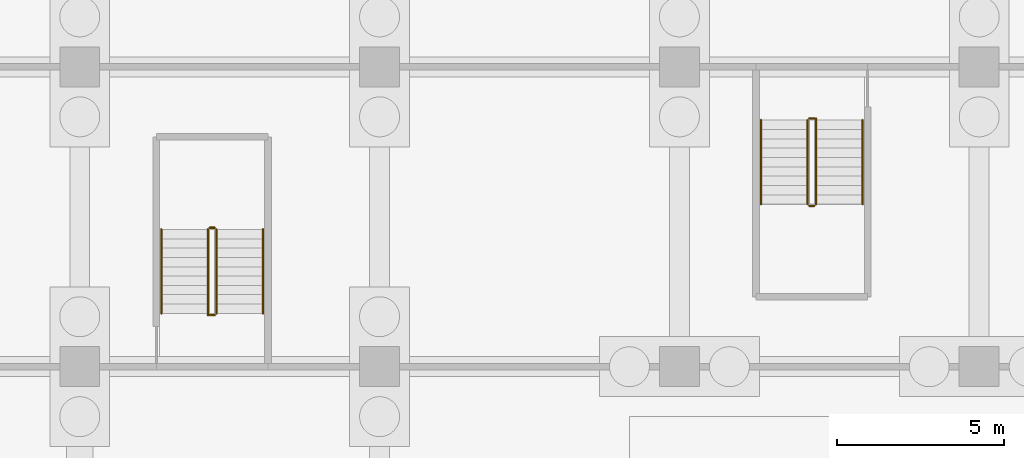
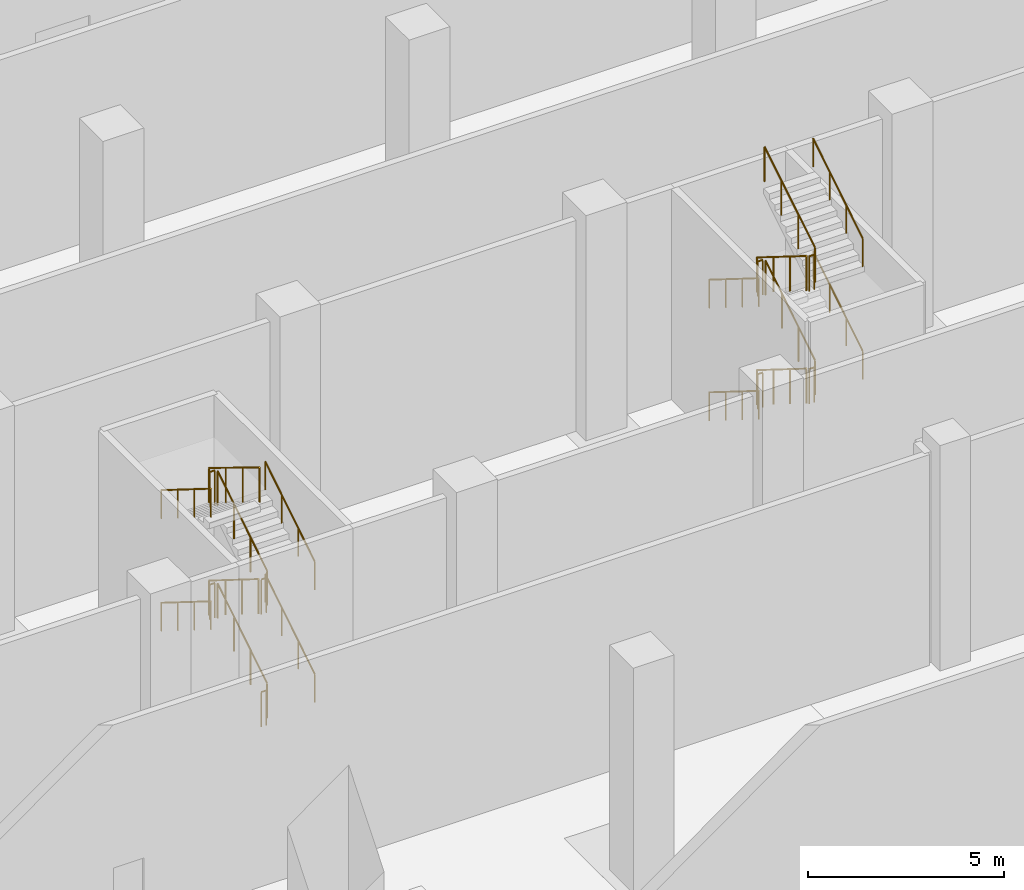
# One storey, part 21 of 23: 24 railings.
"""IFC4 building model written with IfcOpenShell, lengths in metres."""

from ifc_helpers import new_model, si_unit, direction, frame, origin, origin_2d, place, context, subcontext, project, spatial, circle, extrude, material, type_object, element, save


model = new_model("IFC4")

# Units and contexts
model_context = context("Model", 3, precision=1e-05, world=origin(), true_north=direction((0.0, 1.0)))
body_context = subcontext(model_context, "Body", "Model", "MODEL_VIEW")
ifc_project = project(units=[si_unit("LENGTHUNIT", "METRE"), si_unit("AREAUNIT", "SQUARE_METRE"), si_unit("VOLUMEUNIT", "CUBIC_METRE"), si_unit("PLANEANGLEUNIT", "RADIAN"), si_unit("MASSUNIT", "GRAM", prefix="KILO")], contexts=[model_context])

# Site, building, storey
site_placement = place(None, origin())
site = spatial("IfcSite", under=ifc_project, at=site_placement, CompositionType="ELEMENT")
building_placement = place(site_placement, origin())
building = spatial("IfcBuilding", under=site, at=building_placement, Name="Plateau Cross Towers", CompositionType="ELEMENT")
storey_placement = place(building_placement, frame((0.0, 0.0, -7.0)))
storey = spatial("IfcBuildingStorey", under=building, at=storey_placement, Name="B1", CompositionType="ELEMENT", Elevation=-7.0)

# Railings
ifc_material_1 = material(Name="Stainless steel and toughened glass", Category="steel")
railing_type_1 = type_object("IfcRailingType", Name="RL-GUARD-1100", PredefinedType="GUARDRAIL", material=ifc_material_1)
railing_1_placement = place(storey_placement, frame((58.10009765625, 28.60009765625, 0.175048828125)))
element("IfcRailing", 1, at=railing_1_placement, inside=storey, type_object=railing_type_1, Name="B1 PB3 stair guard 1", PredefinedType="GUARDRAIL", context=body_context, shape_type="SweptSolid", body=[
    extrude(circle(Radius=0.02392578125, at=origin_2d()), frame((0.0, 0.0, 1.076171875), z_axis=(0.0, 0.848007534815, 0.529984170421), x_axis=(-1.0, 0.0, 0.0)), (0.0, 0.0, 1.0), 2.9716796875),
    extrude(circle(Radius=0.02099609375, at=origin_2d()), origin(), (0.0, 0.0, 1.0), 1.052001953125),
    extrude(circle(Radius=0.02099609375, at=origin_2d()), frame((0.0, 0.840087890625, 0.52490234375)), (0.0, 0.0, 1.0), 1.052001953125),
    extrude(circle(Radius=0.02099609375, at=origin_2d()), frame((0.0, 1.679931640625, 1.050048828125)), (0.0, 0.0, 1.0), 1.052001953125),
    extrude(circle(Radius=0.02099609375, at=origin_2d()), frame((0.0, 2.52001953125, 1.574951171875)), (0.0, 0.0, 1.0), 1.052001953125),
])
railing_2_placement = place(storey_placement, frame((58.050048828125, 31.169921875, 1.75)))
element("IfcRailing", 2, at=railing_2_placement, inside=storey, type_object=railing_type_1, Name="B1 PB3 stair guard 2", PredefinedType="GUARDRAIL", context=body_context, shape_type="SweptSolid", body=[
    extrude(circle(Radius=0.02392578125, at=origin_2d()), frame((0.0, 0.0, 1.076171875), z_axis=(-1.0, 0.0, 0.0), x_axis=(0.0, -1.0, 0.0)), (0.0, 0.0, 1.0), 0.150146484375),
    extrude(circle(Radius=0.02099609375, at=origin_2d()), origin(), (0.0, 0.0, 1.0), 1.052001953125),
    extrude(circle(Radius=0.02099609375, at=origin_2d()), frame((-0.150146484375, 0.0, 0.0)), (0.0, 0.0, 1.0), 1.052001953125),
])
railing_3_placement = place(storey_placement, frame((57.85009765625, 31.1201171875, 1.925048828125)))
element("IfcRailing", 3, at=railing_3_placement, inside=storey, type_object=railing_type_1, Name="B1 PB3 stair guard 3", PredefinedType="GUARDRAIL", context=body_context, shape_type="SweptSolid", body=[
    extrude(circle(Radius=0.02392578125, at=origin_2d()), frame((0.0, 0.0, 1.076171875), z_axis=(0.0, -0.848007534815, 0.529984170421), x_axis=(1.0, 0.0, 0.0)), (0.0, 0.0, 1.0), 2.9716796875),
    extrude(circle(Radius=0.02099609375, at=origin_2d()), origin(), (0.0, 0.0, 1.0), 1.052001953125),
    extrude(circle(Radius=0.02099609375, at=origin_2d()), frame((0.0, -0.840087890625, 0.52490234375)), (0.0, 0.0, 1.0), 1.052001953125),
    extrude(circle(Radius=0.02099609375, at=origin_2d()), frame((0.0, -1.679931640625, 1.050048828125)), (0.0, 0.0, 1.0), 1.052001953125),
    extrude(circle(Radius=0.02099609375, at=origin_2d()), frame((0.0, -2.52001953125, 1.574951171875)), (0.0, 0.0, 1.0), 1.052001953125),
])
railing_4_placement = place(storey_placement, frame((58.050048828125, 28.550048828125, 3.5)))
element("IfcRailing", 4, at=railing_4_placement, inside=storey, type_object=railing_type_1, Name="B1 PB3 stair guard 4", PredefinedType="GUARDRAIL", context=body_context, shape_type="SweptSolid", body=[
    extrude(circle(Radius=0.02392578125, at=origin_2d()), frame((0.0, 0.0, 1.076171875), z_axis=(-1.0, 0.0, 0.0), x_axis=(0.0, -1.0, 0.0)), (0.0, 0.0, 1.0), 0.150146484375),
    extrude(circle(Radius=0.02099609375, at=origin_2d()), origin(), (0.0, 0.0, 1.0), 1.052001953125),
    extrude(circle(Radius=0.02099609375, at=origin_2d()), frame((-0.150146484375, 0.0, 0.0)), (0.0, 0.0, 1.0), 1.052001953125),
])
railing_5_placement = place(storey_placement, frame((58.10009765625, 28.60009765625, 3.675048828125)))
element("IfcRailing", 5, at=railing_5_placement, inside=storey, type_object=railing_type_1, Name="B1 PB3 stair guard 5", PredefinedType="GUARDRAIL", context=body_context, shape_type="SweptSolid", body=[
    extrude(circle(Radius=0.02392578125, at=origin_2d()), frame((0.0, 0.0, 1.076171875), z_axis=(0.0, 0.848007534815, 0.529984170421), x_axis=(-1.0, 0.0, 0.0)), (0.0, 0.0, 1.0), 2.9716796875),
    extrude(circle(Radius=0.02099609375, at=origin_2d()), origin(), (0.0, 0.0, 1.0), 1.052001953125),
    extrude(circle(Radius=0.02099609375, at=origin_2d()), frame((0.0, 0.840087890625, 0.52490234375)), (0.0, 0.0, 1.0), 1.052001953125),
    extrude(circle(Radius=0.02099609375, at=origin_2d()), frame((0.0, 1.679931640625, 1.050048828125)), (0.0, 0.0, 1.0), 1.052001953125),
    extrude(circle(Radius=0.02099609375, at=origin_2d()), frame((0.0, 2.52001953125, 1.574951171875)), (0.0, 0.0, 1.0), 1.052001953125),
])
railing_6_placement = place(storey_placement, frame((58.050048828125, 31.169921875, 5.25)))
element("IfcRailing", 6, at=railing_6_placement, inside=storey, type_object=railing_type_1, Name="B1 PB3 stair guard 6", PredefinedType="GUARDRAIL", context=body_context, shape_type="SweptSolid", body=[
    extrude(circle(Radius=0.02392578125, at=origin_2d()), frame((0.0, 0.0, 1.076171875), z_axis=(-1.0, 0.0, 0.0), x_axis=(0.0, -1.0, 0.0)), (0.0, 0.0, 1.0), 0.150146484375),
    extrude(circle(Radius=0.02099609375, at=origin_2d()), origin(), (0.0, 0.0, 1.0), 1.052001953125),
    extrude(circle(Radius=0.02099609375, at=origin_2d()), frame((-0.150146484375, 0.0, 0.0)), (0.0, 0.0, 1.0), 1.052001953125),
])
railing_7_placement = place(storey_placement, frame((57.85009765625, 31.1201171875, 5.425048828125)))
element("IfcRailing", 7, at=railing_7_placement, inside=storey, type_object=railing_type_1, Name="B1 PB3 stair guard 7", PredefinedType="GUARDRAIL", context=body_context, shape_type="SweptSolid", body=[
    extrude(circle(Radius=0.02392578125, at=origin_2d()), frame((0.0, 0.0, 1.076171875), z_axis=(0.0, -0.852638500773, 0.522501279423), x_axis=(1.0, 0.0, 0.0)), (0.0, 0.0, 1.0), 3.01416015625),
    extrude(circle(Radius=0.02099609375, at=origin_2d()), origin(), (0.0, 0.0, 1.0), 1.052001953125),
    extrude(circle(Radius=0.02099609375, at=origin_2d()), frame((0.0, -0.856689453125, 0.52490234375)), (0.0, 0.0, 1.0), 1.052001953125),
    extrude(circle(Radius=0.02099609375, at=origin_2d()), frame((0.0, -1.71337890625, 1.050048828125)), (0.0, 0.0, 1.0), 1.052001953125),
    extrude(circle(Radius=0.02099609375, at=origin_2d()), frame((0.0, -2.570068359375, 1.574951171875)), (0.0, 0.0, 1.0), 1.052001953125),
])
railing_8_placement = place(storey_placement, frame((58.050048828125, 28.550048828125, 0.0)))
element("IfcRailing", 8, at=railing_8_placement, inside=storey, type_object=railing_type_1, Name="B1 PB3 stair guard 8", PredefinedType="GUARDRAIL", context=body_context, shape_type="SweptSolid", body=[
    extrude(circle(Radius=0.02392578125, at=origin_2d()), frame((0.0, 0.0, 1.076171875), z_axis=(-1.0, 0.0, 0.0), x_axis=(0.0, -1.0, 0.0)), (0.0, 0.0, 1.0), 0.150146484375),
    extrude(circle(Radius=0.02099609375, at=origin_2d()), origin(), (0.0, 0.0, 1.0), 1.052001953125),
    extrude(circle(Radius=0.02099609375, at=origin_2d()), frame((-0.150146484375, 0.0, 0.0)), (0.0, 0.0, 1.0), 1.052001953125),
])
railing_9_placement = place(storey_placement, frame((75.85009765625, 34.39990234375, 0.175048828125)))
element("IfcRailing", 9, at=railing_9_placement, inside=storey, type_object=railing_type_1, Name="B1 PB4 stair guard 1", PredefinedType="GUARDRAIL", context=body_context, shape_type="SweptSolid", body=[
    extrude(circle(Radius=0.02392578125, at=origin_2d()), frame((0.0, 0.0, 1.076171875), z_axis=(0.0, -0.848007534815, 0.529984170421), x_axis=(1.0, 0.0, 0.0)), (0.0, 0.0, 1.0), 2.9716796875),
    extrude(circle(Radius=0.02099609375, at=origin_2d()), origin(), (0.0, 0.0, 1.0), 1.052001953125),
    extrude(circle(Radius=0.02099609375, at=origin_2d()), frame((0.0, -0.840087890625, 0.52490234375)), (0.0, 0.0, 1.0), 1.052001953125),
    extrude(circle(Radius=0.02099609375, at=origin_2d()), frame((0.0, -1.679931640625, 1.050048828125)), (0.0, 0.0, 1.0), 1.052001953125),
    extrude(circle(Radius=0.02099609375, at=origin_2d()), frame((0.0, -2.52001953125, 1.574951171875)), (0.0, 0.0, 1.0), 1.052001953125),
])
railing_10_placement = place(storey_placement, frame((75.89990234375, 31.830078125, 1.75)))
element("IfcRailing", 10, at=railing_10_placement, inside=storey, type_object=railing_type_1, Name="B1 PB4 stair guard 2", PredefinedType="GUARDRAIL", context=body_context, shape_type="SweptSolid", body=[
    extrude(circle(Radius=0.02392578125, at=origin_2d()), frame((0.0, 0.0, 1.076171875), z_axis=(1.0, 0.0, 0.0), x_axis=(0.0, 1.0, 0.0)), (0.0, 0.0, 1.0), 0.150146484375),
    extrude(circle(Radius=0.02099609375, at=origin_2d()), origin(), (0.0, 0.0, 1.0), 1.052001953125),
    extrude(circle(Radius=0.02099609375, at=origin_2d()), frame((0.150146484375, 0.0, 0.0)), (0.0, 0.0, 1.0), 1.052001953125),
])
railing_11_placement = place(storey_placement, frame((76.10009765625, 31.8798828125, 1.925048828125)))
element("IfcRailing", 11, at=railing_11_placement, inside=storey, type_object=railing_type_1, Name="B1 PB4 stair guard 3", PredefinedType="GUARDRAIL", context=body_context, shape_type="SweptSolid", body=[
    extrude(circle(Radius=0.02392578125, at=origin_2d()), frame((0.0, 0.0, 1.076171875), z_axis=(0.0, 0.848007534815, 0.529984170421), x_axis=(-1.0, 0.0, 0.0)), (0.0, 0.0, 1.0), 2.9716796875),
    extrude(circle(Radius=0.02099609375, at=origin_2d()), origin(), (0.0, 0.0, 1.0), 1.052001953125),
    extrude(circle(Radius=0.02099609375, at=origin_2d()), frame((0.0, 0.840087890625, 0.52490234375)), (0.0, 0.0, 1.0), 1.052001953125),
    extrude(circle(Radius=0.02099609375, at=origin_2d()), frame((0.0, 1.679931640625, 1.050048828125)), (0.0, 0.0, 1.0), 1.052001953125),
    extrude(circle(Radius=0.02099609375, at=origin_2d()), frame((0.0, 2.52001953125, 1.574951171875)), (0.0, 0.0, 1.0), 1.052001953125),
])
railing_12_placement = place(storey_placement, frame((75.89990234375, 34.449951171875, 3.5)))
element("IfcRailing", 12, at=railing_12_placement, inside=storey, type_object=railing_type_1, Name="B1 PB4 stair guard 4", PredefinedType="GUARDRAIL", context=body_context, shape_type="SweptSolid", body=[
    extrude(circle(Radius=0.02392578125, at=origin_2d()), frame((0.0, 0.0, 1.076171875), z_axis=(1.0, 0.0, 0.0), x_axis=(0.0, 1.0, 0.0)), (0.0, 0.0, 1.0), 0.150146484375),
    extrude(circle(Radius=0.02099609375, at=origin_2d()), origin(), (0.0, 0.0, 1.0), 1.052001953125),
    extrude(circle(Radius=0.02099609375, at=origin_2d()), frame((0.150146484375, 0.0, 0.0)), (0.0, 0.0, 1.0), 1.052001953125),
])
railing_13_placement = place(storey_placement, frame((75.85009765625, 34.39990234375, 3.675048828125)))
element("IfcRailing", 13, at=railing_13_placement, inside=storey, type_object=railing_type_1, Name="B1 PB4 stair guard 5", PredefinedType="GUARDRAIL", context=body_context, shape_type="SweptSolid", body=[
    extrude(circle(Radius=0.02392578125, at=origin_2d()), frame((0.0, 0.0, 1.076171875), z_axis=(0.0, -0.848007534815, 0.529984170421), x_axis=(1.0, 0.0, 0.0)), (0.0, 0.0, 1.0), 2.9716796875),
    extrude(circle(Radius=0.02099609375, at=origin_2d()), origin(), (0.0, 0.0, 1.0), 1.052001953125),
    extrude(circle(Radius=0.02099609375, at=origin_2d()), frame((0.0, -0.840087890625, 0.52490234375)), (0.0, 0.0, 1.0), 1.052001953125),
    extrude(circle(Radius=0.02099609375, at=origin_2d()), frame((0.0, -1.679931640625, 1.050048828125)), (0.0, 0.0, 1.0), 1.052001953125),
    extrude(circle(Radius=0.02099609375, at=origin_2d()), frame((0.0, -2.52001953125, 1.574951171875)), (0.0, 0.0, 1.0), 1.052001953125),
])
railing_14_placement = place(storey_placement, frame((75.89990234375, 31.830078125, 5.25)))
element("IfcRailing", 14, at=railing_14_placement, inside=storey, type_object=railing_type_1, Name="B1 PB4 stair guard 6", PredefinedType="GUARDRAIL", context=body_context, shape_type="SweptSolid", body=[
    extrude(circle(Radius=0.02392578125, at=origin_2d()), frame((0.0, 0.0, 1.076171875), z_axis=(1.0, 0.0, 0.0), x_axis=(0.0, 1.0, 0.0)), (0.0, 0.0, 1.0), 0.150146484375),
    extrude(circle(Radius=0.02099609375, at=origin_2d()), origin(), (0.0, 0.0, 1.0), 1.052001953125),
    extrude(circle(Radius=0.02099609375, at=origin_2d()), frame((0.150146484375, 0.0, 0.0)), (0.0, 0.0, 1.0), 1.052001953125),
])
railing_15_placement = place(storey_placement, frame((76.10009765625, 31.8798828125, 5.425048828125)))
element("IfcRailing", 15, at=railing_15_placement, inside=storey, type_object=railing_type_1, Name="B1 PB4 stair guard 7", PredefinedType="GUARDRAIL", context=body_context, shape_type="SweptSolid", body=[
    extrude(circle(Radius=0.02392578125, at=origin_2d()), frame((0.0, 0.0, 1.076171875), z_axis=(0.0, 0.852638500773, 0.522501279423), x_axis=(-1.0, 0.0, 0.0)), (0.0, 0.0, 1.0), 3.01416015625),
    extrude(circle(Radius=0.02099609375, at=origin_2d()), origin(), (0.0, 0.0, 1.0), 1.052001953125),
    extrude(circle(Radius=0.02099609375, at=origin_2d()), frame((0.0, 0.856689453125, 0.52490234375)), (0.0, 0.0, 1.0), 1.052001953125),
    extrude(circle(Radius=0.02099609375, at=origin_2d()), frame((0.0, 1.71337890625, 1.050048828125)), (0.0, 0.0, 1.0), 1.052001953125),
    extrude(circle(Radius=0.02099609375, at=origin_2d()), frame((0.0, 2.570068359375, 1.574951171875)), (0.0, 0.0, 1.0), 1.052001953125),
])
railing_16_placement = place(storey_placement, frame((75.89990234375, 34.449951171875, 0.0)))
element("IfcRailing", 16, at=railing_16_placement, inside=storey, type_object=railing_type_1, Name="B1 PB4 stair guard 8", PredefinedType="GUARDRAIL", context=body_context, shape_type="SweptSolid", body=[
    extrude(circle(Radius=0.02392578125, at=origin_2d()), frame((0.0, 0.0, 1.076171875), z_axis=(1.0, 0.0, 0.0), x_axis=(0.0, 1.0, 0.0)), (0.0, 0.0, 1.0), 0.150146484375),
    extrude(circle(Radius=0.02099609375, at=origin_2d()), origin(), (0.0, 0.0, 1.0), 1.052001953125),
    extrude(circle(Radius=0.02099609375, at=origin_2d()), frame((0.150146484375, 0.0, 0.0)), (0.0, 0.0, 1.0), 1.052001953125),
])
ifc_material_2 = material(Name="Black anodised aluminium", Category="aluminium")
railing_type_2 = type_object("IfcRailingType", Name="RL-HANDRAIL-900", PredefinedType="HANDRAIL", material=ifc_material_2)
railing_17_placement = place(storey_placement, frame((59.5, 28.60009765625, 0.175048828125)))
element("IfcRailing", 17, at=railing_17_placement, inside=storey, type_object=railing_type_2, Name="B1 PB3 stair handrail 1", PredefinedType="HANDRAIL", context=body_context, shape_type="SweptSolid", body=[
    extrude(circle(Radius=0.02392578125, at=origin_2d()), frame((0.0, 0.0, 0.8759765625), z_axis=(0.0, 0.848007534815, 0.529984170421), x_axis=(-1.0, 0.0, 0.0)), (0.0, 0.0, 1.0), 2.9716796875),
    extrude(circle(Radius=0.02099609375, at=origin_2d()), origin(), (0.0, 0.0, 1.0), 0.851806640625),
    extrude(circle(Radius=0.02099609375, at=origin_2d()), frame((0.0, 0.840087890625, 0.52490234375)), (0.0, 0.0, 1.0), 0.851806640625),
    extrude(circle(Radius=0.02099609375, at=origin_2d()), frame((0.0, 1.679931640625, 1.050048828125)), (0.0, 0.0, 1.0), 0.851806640625),
    extrude(circle(Radius=0.02099609375, at=origin_2d()), frame((0.0, 2.52001953125, 1.574951171875)), (0.0, 0.0, 1.0), 0.851806640625),
])
railing_18_placement = place(storey_placement, frame((56.449951171875, 31.1201171875, 1.925048828125)))
element("IfcRailing", 18, at=railing_18_placement, inside=storey, type_object=railing_type_2, Name="B1 PB3 stair handrail 2", PredefinedType="HANDRAIL", context=body_context, shape_type="SweptSolid", body=[
    extrude(circle(Radius=0.02392578125, at=origin_2d()), frame((0.0, 0.0, 0.8759765625), z_axis=(0.0, -0.848007534815, 0.529984170421), x_axis=(1.0, 0.0, 0.0)), (0.0, 0.0, 1.0), 2.9716796875),
    extrude(circle(Radius=0.02099609375, at=origin_2d()), origin(), (0.0, 0.0, 1.0), 0.851806640625),
    extrude(circle(Radius=0.02099609375, at=origin_2d()), frame((0.0, -0.840087890625, 0.52490234375)), (0.0, 0.0, 1.0), 0.851806640625),
    extrude(circle(Radius=0.02099609375, at=origin_2d()), frame((0.0, -1.679931640625, 1.050048828125)), (0.0, 0.0, 1.0), 0.851806640625),
    extrude(circle(Radius=0.02099609375, at=origin_2d()), frame((0.0, -2.52001953125, 1.574951171875)), (0.0, 0.0, 1.0), 0.851806640625),
])
railing_19_placement = place(storey_placement, frame((59.5, 28.60009765625, 3.675048828125)))
element("IfcRailing", 19, at=railing_19_placement, inside=storey, type_object=railing_type_2, Name="B1 PB3 stair handrail 3", PredefinedType="HANDRAIL", context=body_context, shape_type="SweptSolid", body=[
    extrude(circle(Radius=0.02392578125, at=origin_2d()), frame((0.0, 0.0, 0.8759765625), z_axis=(0.0, 0.848007534815, 0.529984170421), x_axis=(-1.0, 0.0, 0.0)), (0.0, 0.0, 1.0), 2.9716796875),
    extrude(circle(Radius=0.02099609375, at=origin_2d()), origin(), (0.0, 0.0, 1.0), 0.851806640625),
    extrude(circle(Radius=0.02099609375, at=origin_2d()), frame((0.0, 0.840087890625, 0.52490234375)), (0.0, 0.0, 1.0), 0.851806640625),
    extrude(circle(Radius=0.02099609375, at=origin_2d()), frame((0.0, 1.679931640625, 1.050048828125)), (0.0, 0.0, 1.0), 0.851806640625),
    extrude(circle(Radius=0.02099609375, at=origin_2d()), frame((0.0, 2.52001953125, 1.574951171875)), (0.0, 0.0, 1.0), 0.851806640625),
])
for number, where, name in (
    (20, (56.449951171875, 31.1201171875, 5.425048828125), "B1 PB3 stair handrail 4"),
    (21, (74.449951171875, 34.39990234375, 0.175048828125), "B1 PB4 stair handrail 1"),
):
    element("IfcRailing", number, at=place(storey_placement, frame(where)), inside=storey, type_object=railing_type_2, Name=name, PredefinedType="HANDRAIL", context=body_context, shape_type="SweptSolid", body=[
        extrude(circle(Radius=0.02392578125, at=origin_2d()), frame((0.0, 0.0, 0.8759765625), z_axis=(0.0, -0.848007534815, 0.529984170421), x_axis=(1.0, 0.0, 0.0)), (0.0, 0.0, 1.0), 2.9716796875),
        extrude(circle(Radius=0.02099609375, at=origin_2d()), origin(), (0.0, 0.0, 1.0), 0.851806640625),
        extrude(circle(Radius=0.02099609375, at=origin_2d()), frame((0.0, -0.840087890625, 0.52490234375)), (0.0, 0.0, 1.0), 0.851806640625),
        extrude(circle(Radius=0.02099609375, at=origin_2d()), frame((0.0, -1.679931640625, 1.050048828125)), (0.0, 0.0, 1.0), 0.851806640625),
        extrude(circle(Radius=0.02099609375, at=origin_2d()), frame((0.0, -2.52001953125, 1.574951171875)), (0.0, 0.0, 1.0), 0.851806640625),
    ])
railing_20_placement = place(storey_placement, frame((77.5, 31.8798828125, 1.925048828125)))
element("IfcRailing", 22, at=railing_20_placement, inside=storey, type_object=railing_type_2, Name="B1 PB4 stair handrail 2", PredefinedType="HANDRAIL", context=body_context, shape_type="SweptSolid", body=[
    extrude(circle(Radius=0.02392578125, at=origin_2d()), frame((0.0, 0.0, 0.8759765625), z_axis=(0.0, 0.848007534815, 0.529984170421), x_axis=(-1.0, 0.0, 0.0)), (0.0, 0.0, 1.0), 2.9716796875),
    extrude(circle(Radius=0.02099609375, at=origin_2d()), origin(), (0.0, 0.0, 1.0), 0.851806640625),
    extrude(circle(Radius=0.02099609375, at=origin_2d()), frame((0.0, 0.840087890625, 0.52490234375)), (0.0, 0.0, 1.0), 0.851806640625),
    extrude(circle(Radius=0.02099609375, at=origin_2d()), frame((0.0, 1.679931640625, 1.050048828125)), (0.0, 0.0, 1.0), 0.851806640625),
    extrude(circle(Radius=0.02099609375, at=origin_2d()), frame((0.0, 2.52001953125, 1.574951171875)), (0.0, 0.0, 1.0), 0.851806640625),
])
railing_21_placement = place(storey_placement, frame((74.449951171875, 34.39990234375, 3.675048828125)))
element("IfcRailing", 23, at=railing_21_placement, inside=storey, type_object=railing_type_2, Name="B1 PB4 stair handrail 3", PredefinedType="HANDRAIL", context=body_context, shape_type="SweptSolid", body=[
    extrude(circle(Radius=0.02392578125, at=origin_2d()), frame((0.0, 0.0, 0.8759765625), z_axis=(0.0, -0.848007534815, 0.529984170421), x_axis=(1.0, 0.0, 0.0)), (0.0, 0.0, 1.0), 2.9716796875),
    extrude(circle(Radius=0.02099609375, at=origin_2d()), origin(), (0.0, 0.0, 1.0), 0.851806640625),
    extrude(circle(Radius=0.02099609375, at=origin_2d()), frame((0.0, -0.840087890625, 0.52490234375)), (0.0, 0.0, 1.0), 0.851806640625),
    extrude(circle(Radius=0.02099609375, at=origin_2d()), frame((0.0, -1.679931640625, 1.050048828125)), (0.0, 0.0, 1.0), 0.851806640625),
    extrude(circle(Radius=0.02099609375, at=origin_2d()), frame((0.0, -2.52001953125, 1.574951171875)), (0.0, 0.0, 1.0), 0.851806640625),
])
railing_22_placement = place(storey_placement, frame((77.5, 31.8798828125, 5.425048828125)))
element("IfcRailing", 24, at=railing_22_placement, inside=storey, type_object=railing_type_2, Name="B1 PB4 stair handrail 4", PredefinedType="HANDRAIL", context=body_context, shape_type="SweptSolid", body=[
    extrude(circle(Radius=0.02392578125, at=origin_2d()), frame((0.0, 0.0, 0.8759765625), z_axis=(0.0, 0.848007534815, 0.529984170421), x_axis=(-1.0, 0.0, 0.0)), (0.0, 0.0, 1.0), 2.9716796875),
    extrude(circle(Radius=0.02099609375, at=origin_2d()), origin(), (0.0, 0.0, 1.0), 0.851806640625),
    extrude(circle(Radius=0.02099609375, at=origin_2d()), frame((0.0, 0.840087890625, 0.52490234375)), (0.0, 0.0, 1.0), 0.851806640625),
    extrude(circle(Radius=0.02099609375, at=origin_2d()), frame((0.0, 1.679931640625, 1.050048828125)), (0.0, 0.0, 1.0), 0.851806640625),
    extrude(circle(Radius=0.02099609375, at=origin_2d()), frame((0.0, 2.52001953125, 1.574951171875)), (0.0, 0.0, 1.0), 0.851806640625),
])

save(model, "model.ifc")
